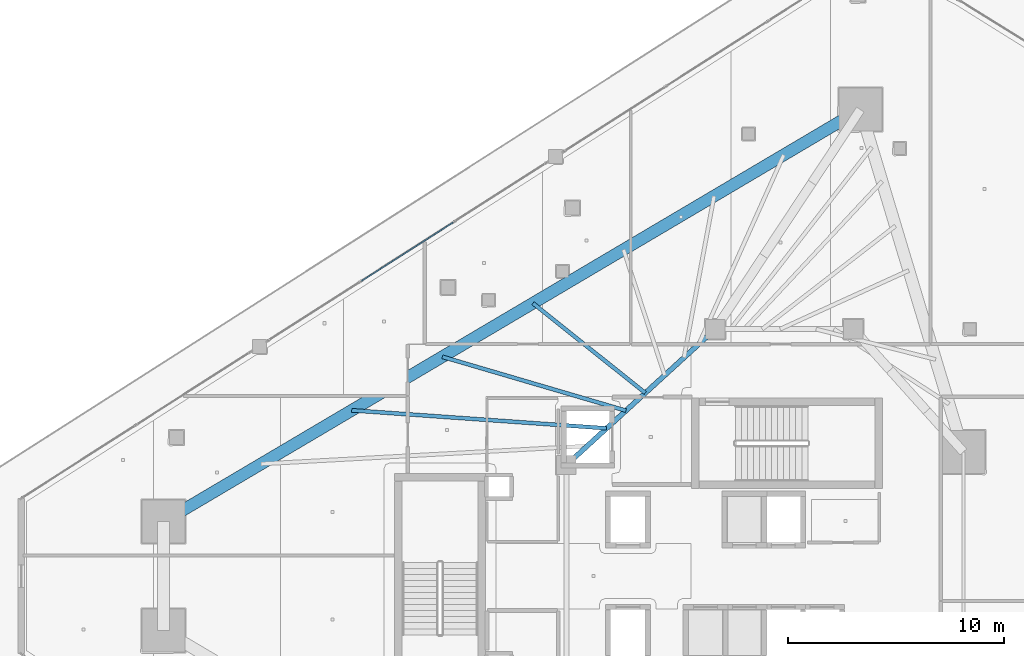
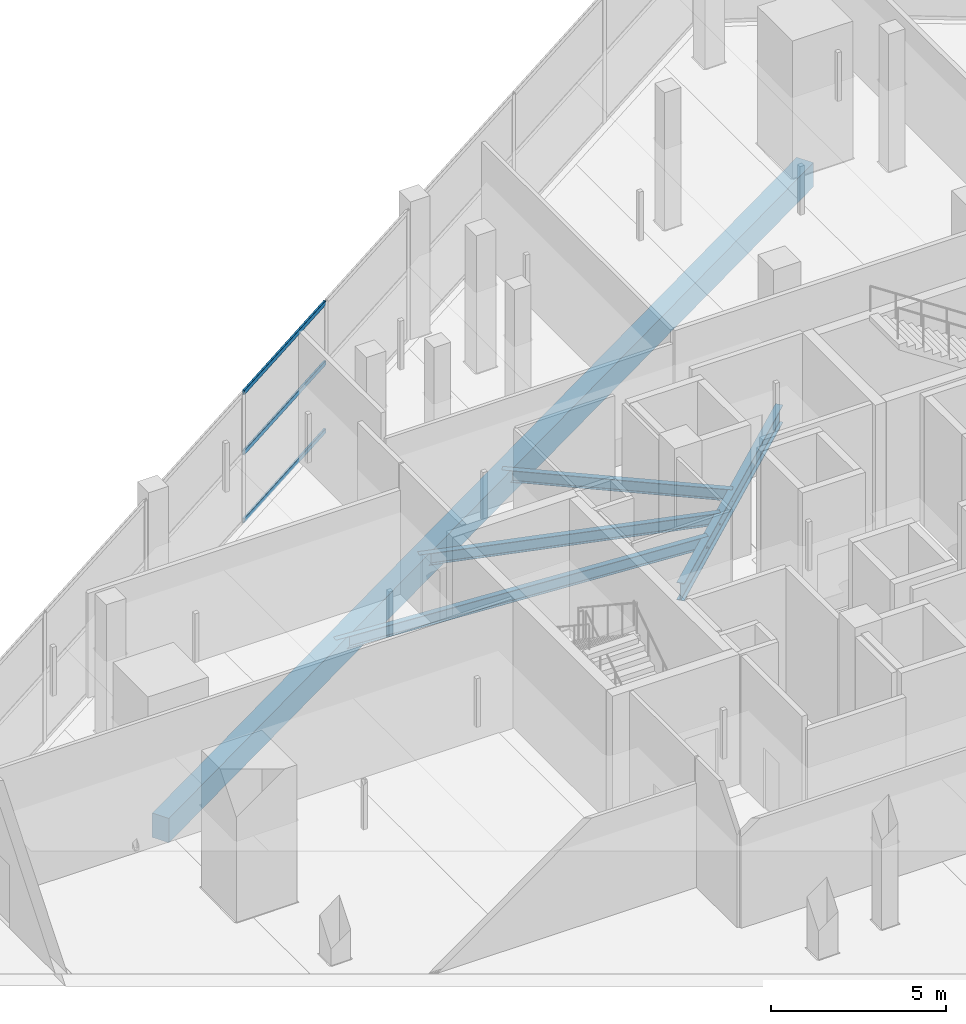
# One storey, part 16 of 36: 5 beams, 3 members, 1 element without a shape of its own.
"""IFC4 building model written with IfcOpenShell, lengths in metres."""

from ifc_helpers import new_model, si_unit, direction, frame, origin, origin_2d, place, context, subcontext, project, spatial, rectangle, hollow_rectangle, i_section, extrude, material, layer, layer_set, material_profile, profile_set, type_object, element, aggregate, save


model = new_model("IFC4")

# Units and contexts
model_context = context("Model", 3, precision=1e-05, world=origin(), true_north=direction((0.0, 1.0)))
body_context = subcontext(model_context, "Body", "Model", "MODEL_VIEW")
ifc_project = project(units=[si_unit("LENGTHUNIT", "METRE"), si_unit("AREAUNIT", "SQUARE_METRE"), si_unit("VOLUMEUNIT", "CUBIC_METRE"), si_unit("PLANEANGLEUNIT", "RADIAN"), si_unit("MASSUNIT", "GRAM", prefix="KILO")], contexts=[model_context])

# Site, building, storey
site_placement = place(None, origin())
site = spatial("IfcSite", under=ifc_project, at=site_placement, CompositionType="ELEMENT")
building_placement = place(site_placement, origin())
building = spatial("IfcBuilding", under=site, at=building_placement, Name="Qorvath Tower", CompositionType="ELEMENT")
storey_placement = place(building_placement, frame((0.0, 0.0, 180.0)))
storey = spatial("IfcBuildingStorey", under=building, at=storey_placement, Name="L41", CompositionType="ELEMENT", Elevation=180.0)

# Beams
ifc_material_1 = material(Name="Steel ASTM A992 Grade 50", Category="steel")
ifc_material_profile_1 = material_profile(ifc_material_1, i_section(OverallWidth=0.22998046875, OverallDepth=0.616943359375, WebThickness=0.01318359375, FlangeThickness=0.022216796875, FilletRadius=0.014892578125, at=origin_2d()), Name="W24x94")
ifc_profile_set_1 = profile_set([ifc_material_profile_1], Name="Steel ASTM A992 Grade 50")
beam_type_1 = type_object("IfcBeamType", Name="BM-FG6", PredefinedType="BEAM", material=ifc_profile_set_1)
beam_1_placement = place(storey_placement, frame((-30.5, 5.14990234375, -0.6083984375), z_axis=(0.73847813985, 0.6742774184, 0.0), x_axis=(-0.6742774184, 0.73847813985, 0.0)))
element("IfcBeam", 1, at=beam_1_placement, inside=storey, type_object=beam_type_1, Name="Core Ring Girder CC5-CC1 L41", PredefinedType="BEAM", context=body_context, shape_type="SweptSolid", body=[
    extrude(i_section(OverallWidth=0.22998046875, OverallDepth=0.616943359375, WebThickness=0.01318359375, FlangeThickness=0.022216796875, FilletRadius=0.014892578125, at=origin_2d()), origin(), (0.0, 0.0, 1.0), 9.343505859375),
])
ifc_material_2 = material(Name="Steel ASTM A992 Grade 50", Category="steel")
ifc_material_profile_2 = material_profile(ifc_material_2, i_section(OverallWidth=0.177978515625, OverallDepth=0.406005859375, WebThickness=0.0078125, FlangeThickness=0.0126953125, FilletRadius=0.010986328125, at=origin_2d()), Name="W16x40")
ifc_profile_set_2 = profile_set([ifc_material_profile_2], Name="Steel ASTM A992 Grade 50")
beam_type_2 = type_object("IfcBeamType", Name="BM-FJ3", PredefinedType="JOIST", material=ifc_profile_set_2)
beam_2_placement = place(storey_placement, frame((-28.636962890625, 6.85107421875, -0.5029296875), z_axis=(-0.997520476731, 0.070376832146, 0.0), x_axis=(-0.070376832146, -0.997520476731, 0.0)))
element("IfcBeam", 2, at=beam_2_placement, inside=storey, type_object=beam_type_2, Name="Composite Floor Joist NW2 L41", PredefinedType="JOIST", context=body_context, shape_type="SweptSolid", body=[
    extrude(i_section(OverallWidth=0.177978515625, OverallDepth=0.406005859375, WebThickness=0.0078125, FlangeThickness=0.0126953125, FilletRadius=0.010986328125, at=origin_2d()), origin(), (0.0, 0.0, 1.0), 11.84326171875),
])
beam_3_placement = place(storey_placement, frame((-27.739990234375, 7.669921875, -0.5029296875), z_axis=(-0.959544992264, 0.281555337049, 0.0), x_axis=(-0.281555337049, -0.959544992264, 0.0)))
element("IfcBeam", 3, at=beam_3_placement, inside=storey, type_object=beam_type_2, Name="Composite Floor Joist NW3 L41", PredefinedType="JOIST", context=body_context, shape_type="SweptSolid", body=[
    extrude(i_section(OverallWidth=0.177978515625, OverallDepth=0.406005859375, WebThickness=0.0078125, FlangeThickness=0.0126953125, FilletRadius=0.010986328125, at=origin_2d()), origin(), (0.0, 0.0, 1.0), 8.87060546875),
])
beam_4_placement = place(storey_placement, frame((-26.843017578125, 8.489013671875, -0.5029296875), z_axis=(-0.781336553339, 0.624109918537, 0.0), x_axis=(-0.624109918537, -0.781336553339, 0.0)))
element("IfcBeam", 4, at=beam_4_placement, inside=storey, type_object=beam_type_2, Name="Composite Floor Joist NW4 L41", PredefinedType="JOIST", context=body_context, shape_type="SweptSolid", body=[
    extrude(i_section(OverallWidth=0.177978515625, OverallDepth=0.406005859375, WebThickness=0.0078125, FlangeThickness=0.0126953125, FilletRadius=0.010986328125, at=origin_2d()), origin(), (0.0, 0.0, 1.0), 6.667724609375),
])
ifc_material_3 = material(Name="Concrete C50/60", Category="concrete")
ifc_material_profile_3 = material_profile(ifc_material_3, rectangle(XDim=0.550048828125, YDim=0.85009765625, at=origin_2d()), Name="RCB 850x550")
ifc_profile_set_3 = profile_set([ifc_material_profile_3], Name="Concrete C50/60")
beam_type_3 = type_object("IfcBeamType", Name="BM-RCB2", PredefinedType="SPANDREL", material=ifc_profile_set_3)
beam_5_placement = place(storey_placement, frame((-16.87158203125, 21.627197265625, -0.72509765625), z_axis=(-0.860776759786, -0.50898268125, 0.0), x_axis=(0.50898268125, -0.860776759786, 0.0)))
element("IfcBeam", 5, at=beam_5_placement, inside=storey, type_object=beam_type_3, Name="Perimeter Loggia Frame Beam MC6-MC1 L41", PredefinedType="SPANDREL", context=body_context, shape_type="SweptSolid", body=[
    extrude(rectangle(XDim=0.550048828125, YDim=0.85009765625, at=origin_2d()), origin(), (0.0, 0.0, 1.0), 37.524658203125),
])

# Curtain wall, members
ifc_material_4 = material(Name="Anodised aluminium and triple low-E glass", Category="aluminium")
ifc_layer = layer(ifc_material_4, 0.179931640625)
ifc_layer_set = layer_set([ifc_layer], Name="CW-SYS-5")
curtain_wall_type = type_object("IfcCurtainWallType", Name="CW-SYS-5", PredefinedType="NOTDEFINED", material=ifc_layer_set)
curtain_wall_placement = place(storey_placement, origin())
curtain_wall = element("IfcCurtainWall", 6, at=curtain_wall_placement, inside=storey, type_object=curtain_wall_type, Name="Curtain Wall CW-5 CW-T-L41-16.2", PredefinedType="NOTDEFINED")
ifc_material_5 = material(Name="Anodised aluminium 6063-T6", Category="aluminium")
ifc_material_profile_4 = material_profile(ifc_material_5, hollow_rectangle(XDim=0.06494140625, YDim=0.159912109375, WallThickness=0.00341796875, InnerFilletRadius=0.00341796875, OuterFilletRadius=0.007080078125, at=origin_2d()), Name="CWT 160x65")
ifc_profile_set_4 = profile_set([ifc_material_profile_4], Name="Anodised aluminium 6063-T6")
member_type = type_object("IfcMemberType", Name="CWT-160", PredefinedType="USERDEFINED", material=ifc_profile_set_4)
member_1_placement = place(storey_placement, frame((-35.744384765625, 16.399169921875, 0.032470703125), z_axis=(-0.8426068583, -0.538529184303, 0.0), x_axis=(0.538529184303, -0.8426068583, 0.0)))
member_1 = element("IfcMember", 7, at=member_1_placement, type_object=member_type, Name="CW-5 transom 2.1", ObjectType="TRANSOM", PredefinedType="USERDEFINED", context=body_context, shape_type="SweptSolid", body=[
    extrude(hollow_rectangle(XDim=0.06494140625, YDim=0.159912109375, WallThickness=0.00341796875, InnerFilletRadius=0.00341796875, OuterFilletRadius=0.007080078125, at=origin_2d()), origin(), (0.0, 0.0, 1.0), 5.059814453125),
])
member_2_placement = place(storey_placement, frame((-35.744384765625, 16.399169921875, 2.39990234375), z_axis=(-0.8426068583, -0.538529184303, 0.0), x_axis=(0.538529184303, -0.8426068583, 0.0)))
member_2 = element("IfcMember", 8, at=member_2_placement, type_object=member_type, Name="CW-5 transom 2.2", ObjectType="TRANSOM", PredefinedType="USERDEFINED", context=body_context, shape_type="SweptSolid", body=[
    extrude(hollow_rectangle(XDim=0.06494140625, YDim=0.159912109375, WallThickness=0.00341796875, InnerFilletRadius=0.00341796875, OuterFilletRadius=0.007080078125, at=origin_2d()), origin(), (0.0, 0.0, 1.0), 5.059814453125),
])
member_3_placement = place(storey_placement, frame((-35.744384765625, 16.399169921875, 4.49755859375), z_axis=(-0.8426068583, -0.538529184303, 0.0), x_axis=(0.538529184303, -0.8426068583, 0.0)))
member_3 = element("IfcMember", 9, at=member_3_placement, type_object=member_type, Name="CW-5 transom 2.3", ObjectType="TRANSOM", PredefinedType="USERDEFINED", context=body_context, shape_type="SweptSolid", body=[
    extrude(hollow_rectangle(XDim=0.06494140625, YDim=0.159912109375, WallThickness=0.00341796875, InnerFilletRadius=0.00341796875, OuterFilletRadius=0.007080078125, at=origin_2d()), origin(), (0.0, 0.0, 1.0), 5.059814453125),
])
aggregate(curtain_wall, [member_1, member_2, member_3])

save(model, "model.ifc")
